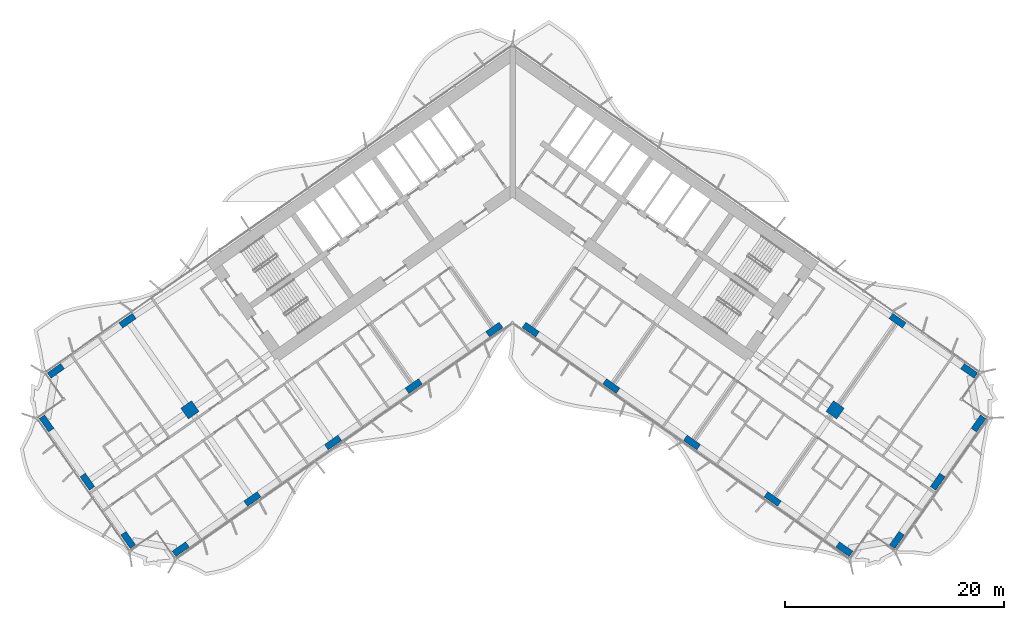
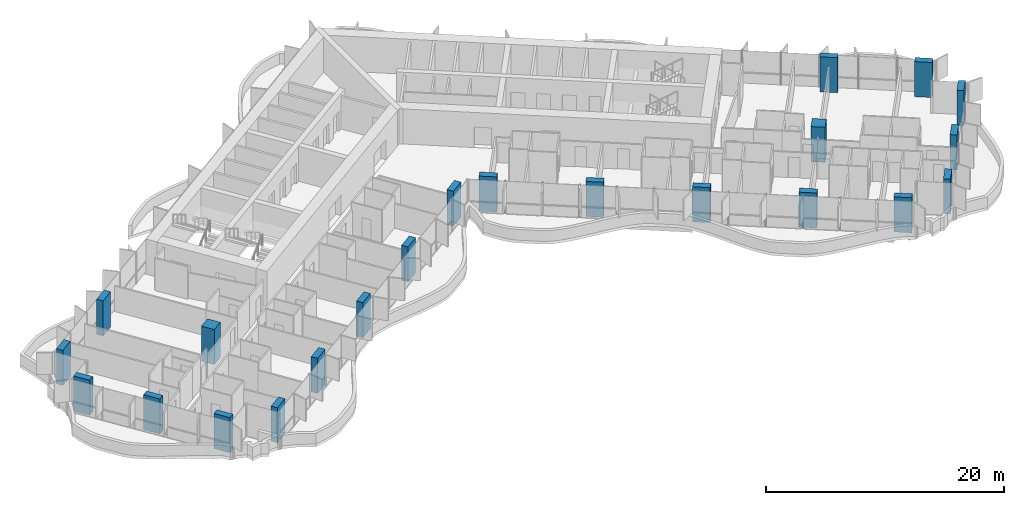
# One storey, part 1 of 25: 22 columns.
"""IFC4 building model written with IfcOpenShell, lengths in metres."""

from ifc_helpers import new_model, si_unit, direction, frame, origin, origin_2d, place, context, subcontext, project, spatial, rectangle, extrude, material, material_profile, profile_set, type_object, element, save


model = new_model("IFC4")

# Units and contexts
model_context = context("Model", 3, precision=1e-05, world=origin(), true_north=direction((0.0, 1.0)))
body_context = subcontext(model_context, "Body", "Model", "MODEL_VIEW")
ifc_project = project(units=[si_unit("LENGTHUNIT", "METRE"), si_unit("AREAUNIT", "SQUARE_METRE"), si_unit("VOLUMEUNIT", "CUBIC_METRE"), si_unit("PLANEANGLEUNIT", "RADIAN"), si_unit("MASSUNIT", "GRAM", prefix="KILO")], contexts=[model_context])

# Site, building, storey
site_placement = place(None, origin())
site = spatial("IfcSite", under=ifc_project, at=site_placement, CompositionType="ELEMENT")
building_placement = place(site_placement, origin())
building = spatial("IfcBuilding", under=site, at=building_placement, Name="Tel Ilan Convention Tower", CompositionType="ELEMENT")
storey_placement = place(building_placement, frame((0.0, 0.0, 58.10009765625)))
storey = spatial("IfcBuildingStorey", under=building, at=storey_placement, Name="L09", CompositionType="ELEMENT", Elevation=58.10009765625)

# Columns
ifc_material_1 = material(Name="Concrete C60/75", Category="concrete")
ifc_material_profile_1 = material_profile(ifc_material_1, rectangle(XDim=1.199951171875, YDim=1.199951171875, at=origin_2d()), Name="RC 1200x1200")
ifc_profile_set_1 = profile_set([ifc_material_profile_1], Name="Concrete C60/75")
column_type_1 = type_object("IfcColumnType", Name="Column RC 1200x1200 C60/75", PredefinedType="COLUMN", material=ifc_profile_set_1)
for number, where, z_axis, x_axis, name in (
    (1, (-29.489501953125, -20.648681640625, 0.0), (0.0, 0.0, 1.0), (-0.819152044289, -0.573576436351, 0.0), "L09 column W-M4"),
    (2, (29.489501953125, -20.648681640625, 0.0), (0.0, 0.0, 1.0), (0.819152044289, -0.573576436351, 0.0), "L09 column E-M4"),
):
    element("IfcColumn", number, at=place(storey_placement, frame(where, z_axis=z_axis, x_axis=x_axis)), inside=storey, type_object=column_type_1, Name=name, PredefinedType="COLUMN", context=body_context, shape_type="SweptSolid", body=[
        extrude(rectangle(XDim=1.199951171875, YDim=1.199951171875, at=origin_2d()), origin(), (0.0, 0.0, 1.0), 3.599853515625),
    ])
ifc_material_2 = material(Name="Concrete C60/75", Category="concrete")
ifc_material_profile_2 = material_profile(ifc_material_2, rectangle(XDim=1.5, YDim=0.60009765625, at=origin_2d()), Name="RC 600x1500")
ifc_profile_set_2 = profile_set([ifc_material_profile_2], Name="Concrete C60/75")
column_type_2 = type_object("IfcColumnType", Name="Column RC 600x1500 C60/75", PredefinedType="COLUMN", material=ifc_profile_set_2)
for number, where, z_axis, x_axis, name in (
    (3, (-1.665283203125, -13.312744140625, 0.0), (0.0, 0.0, 1.0), (-0.819152044289, -0.573576436351, 0.0), "L09 column W-F1"),
    (4, (-9.03759765625, -18.474853515625, 0.0), (0.0, 0.0, 1.0), (-0.819152044289, -0.573576436351, 0.0), "L09 column W-F2"),
    (5, (-16.409912109375, -23.63720703125, 0.0), (0.0, 0.0, 1.0), (-0.819152044289, -0.573576436351, 0.0), "L09 column W-F3"),
    (6, (-23.782470703125, -28.79931640625, 0.0), (0.0, 0.0, 1.0), (-0.819152044289, -0.573576436351, 0.0), "L09 column W-F4"),
    (7, (-30.335693359375, -33.387939453125, 0.0), (0.0, 0.0, 1.0), (-0.819152044289, -0.573576436351, 0.0), "L09 column W-FC"),
    (8, (-35.196533203125, -12.498291015625, 0.0), (0.0, 0.0, 1.0), (-0.819152044289, -0.573576436351, 0.0), "L09 column W-B4"),
    (9, (-41.749755859375, -17.0869140625, 0.0), (0.0, 0.0, 1.0), (-0.819152044289, -0.573576436351, 0.0), "L09 column W-BC"),
    (10, (-35.140380859375, -32.540771484375, 0.0), (0.0, 0.0, 1.0), (-0.573576436351, 0.819152044289, 0.0), "L09 column W-E1"),
    (11, (-38.868896484375, -27.21630859375, 0.0), (0.0, 0.0, 1.0), (-0.573576436351, 0.819152044289, 0.0), "L09 column W-E2"),
    (12, (-42.596923828125, -21.8916015625, 0.0), (0.0, 0.0, 1.0), (-0.573576436351, 0.819152044289, 0.0), "L09 column W-E3"),
    (13, (1.665283203125, -13.312744140625, 0.0), (0.0, 0.0, 1.0), (0.819152044289, -0.573576436351, 0.0), "L09 column E-F1"),
    (14, (9.03759765625, -18.474853515625, 0.0), (0.0, 0.0, 1.0), (0.819152044289, -0.573576436351, 0.0), "L09 column E-F2"),
    (15, (16.409912109375, -23.63720703125, 0.0), (0.0, 0.0, 1.0), (0.819152044289, -0.573576436351, 0.0), "L09 column E-F3"),
    (16, (23.782470703125, -28.79931640625, 0.0), (0.0, 0.0, 1.0), (0.819152044289, -0.573576436351, 0.0), "L09 column E-F4"),
    (17, (30.335693359375, -33.387939453125, 0.0), (0.0, 0.0, 1.0), (0.819152044289, -0.573576436351, 0.0), "L09 column E-FC"),
    (18, (35.196533203125, -12.498291015625, 0.0), (0.0, 0.0, 1.0), (0.819152044289, -0.573576436351, 0.0), "L09 column E-B4"),
    (19, (41.749755859375, -17.0869140625, 0.0), (0.0, 0.0, 1.0), (0.819152044289, -0.573576436351, 0.0), "L09 column E-BC"),
    (20, (35.140380859375, -32.540771484375, 0.0), (0.0, 0.0, 1.0), (0.573576436351, 0.819152044289, 0.0), "L09 column E-E1"),
    (21, (38.868896484375, -27.21630859375, 0.0), (0.0, 0.0, 1.0), (0.573576436351, 0.819152044289, 0.0), "L09 column E-E2"),
    (22, (42.596923828125, -21.8916015625, 0.0), (0.0, 0.0, 1.0), (0.573576436351, 0.819152044289, 0.0), "L09 column E-E3"),
):
    element("IfcColumn", number, at=place(storey_placement, frame(where, z_axis=z_axis, x_axis=x_axis)), inside=storey, type_object=column_type_2, Name=name, PredefinedType="COLUMN", context=body_context, shape_type="SweptSolid", body=[
        extrude(rectangle(XDim=1.5, YDim=0.60009765625, at=origin_2d()), origin(), (0.0, 0.0, 1.0), 3.599853515625),
    ])

save(model, "model.ifc")
